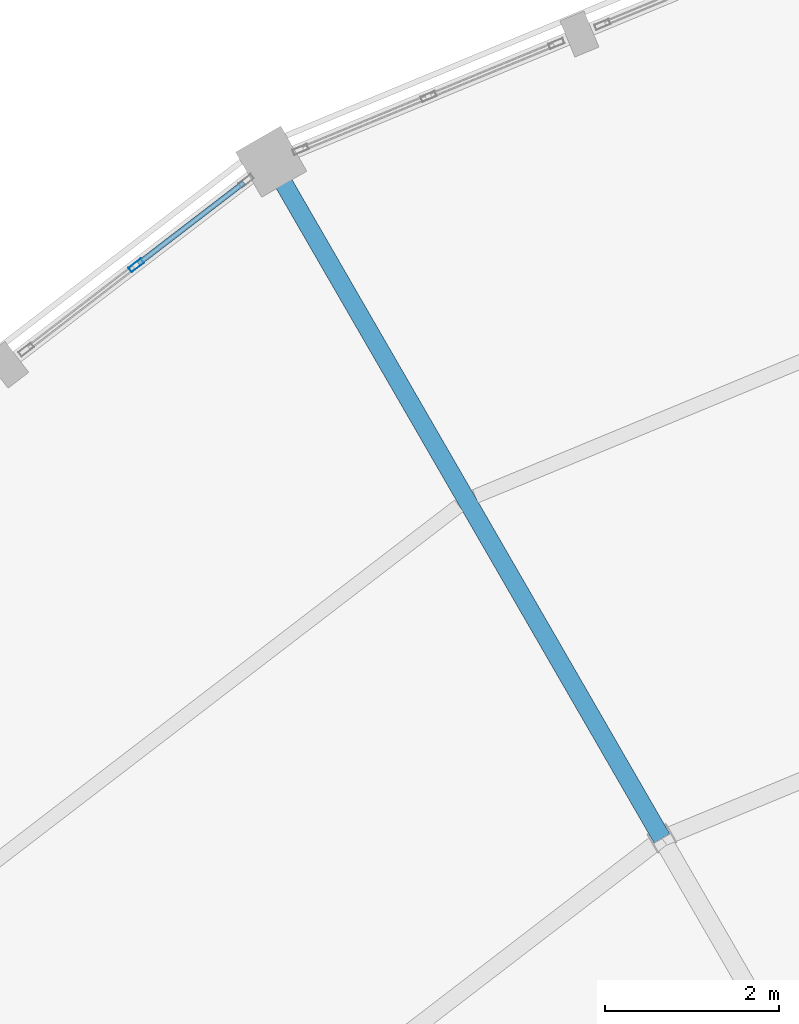
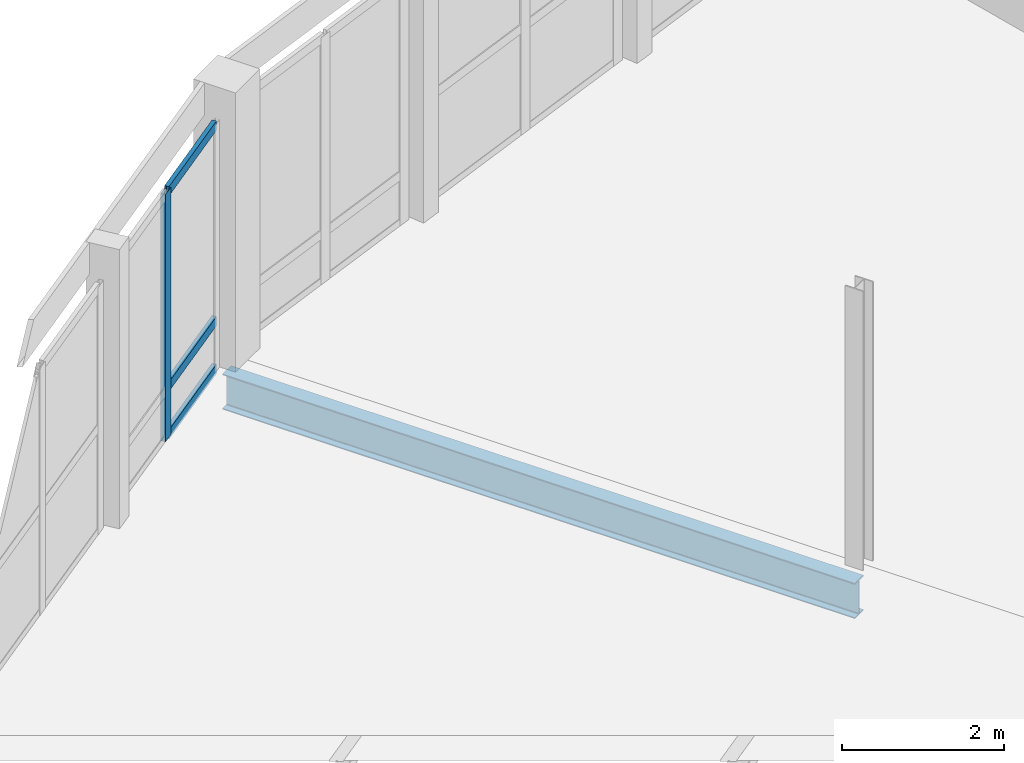
# One storey, part 93 of 200: 4 members, 1 beam, 1 element without a shape of its own.
"""IFC4 building model written with IfcOpenShell, lengths in metres."""

from ifc_helpers import new_model, si_unit, direction, frame, origin, origin_2d, place, context, subcontext, project, spatial, hollow_rectangle, i_section, extrude, material, material_profile, profile_set, type_object, element, aggregate, save


model = new_model("IFC4")

# Units and contexts
model_context = context("Model", 3, precision=1e-05, world=origin(), true_north=direction((0.0, 1.0)))
body_context = subcontext(model_context, "Body", "Model", "MODEL_VIEW")
ifc_project = project(units=[si_unit("LENGTHUNIT", "METRE"), si_unit("AREAUNIT", "SQUARE_METRE"), si_unit("VOLUMEUNIT", "CUBIC_METRE"), si_unit("PLANEANGLEUNIT", "RADIAN"), si_unit("MASSUNIT", "GRAM", prefix="KILO")], contexts=[model_context])

# Site, building, storey
site_placement = place(None, origin())
site = spatial("IfcSite", under=ifc_project, at=site_placement, CompositionType="ELEMENT")
building_placement = place(site_placement, origin())
building = spatial("IfcBuilding", under=site, at=building_placement, Name="Vondelvale Polytechnic", CompositionType="ELEMENT")
storey_placement = place(building_placement, frame((0.0, 0.0, 13.800048828125)))
storey = spatial("IfcBuildingStorey", under=building, at=storey_placement, Name="L03", CompositionType="ELEMENT", Elevation=13.800048828125)

# Beam
ifc_material_1 = material(Name="Steel 300PLUS (fy = 300 MPa)", Category="steel")
ifc_material_profile_1 = material_profile(ifc_material_1, i_section(OverallWidth=0.208984375, OverallDepth=0.532958984375, WebThickness=0.01025390625, FlangeThickness=0.015625, FilletRadius=0.013916015625, at=origin_2d()), Name="530UB92.4")
ifc_profile_set_1 = profile_set([ifc_material_profile_1], Name="Steel 300PLUS (fy = 300 MPa)")
beam_type = type_object("IfcBeamType", Name="BM-UB530", PredefinedType="BEAM", material=ifc_profile_set_1)
beam_placement = place(storey_placement, frame((83.5, 104.04296875, -0.5166015625), z_axis=(-0.5000018851, 0.866024315419, 0.0), x_axis=(-0.866024315419, -0.5000018851, 0.0)))
element("IfcBeam", 1, at=beam_placement, inside=storey, type_object=beam_type, Name="L03 RG B-11", PredefinedType="BEAM", context=body_context, shape_type="SweptSolid", body=[
    extrude(i_section(OverallWidth=0.208984375, OverallDepth=0.532958984375, WebThickness=0.01025390625, FlangeThickness=0.015625, FilletRadius=0.013916015625, at=origin_2d()), origin(), (0.0, 0.0, 1.0), 9.0),
])

# Curtain wall, members
ifc_material_2 = material(Name="Glulam GL18 structural Tasmanian oak (fb = 42 MPa)", Category="wood")
curtain_wall_type = type_object("IfcCurtainWallType", Name="CW-RING-OUTER", PredefinedType="NOTDEFINED", material=ifc_material_2)
curtain_wall_placement = place(storey_placement, origin())
curtain_wall = element("IfcCurtainWall", 2, at=curtain_wall_placement, inside=storey, type_object=curtain_wall_type, Name="L03 architectural curtain wall CW-04-203", PredefinedType="NOTDEFINED")
ifc_material_3 = material(Name="Anodised extruded aluminium 6063-T6", Category="aluminium")
ifc_material_profile_2 = material_profile(ifc_material_3, hollow_rectangle(XDim=0.06494140625, YDim=0.179931640625, WallThickness=0.00390625, at=origin_2d()), Name="CW-MUL-180x65")
ifc_profile_set_2 = profile_set([ifc_material_profile_2], Name="Anodised extruded aluminium 6063-T6")
member_type_1 = type_object("IfcMemberType", Name="CW-MUL-65x180", PredefinedType="MULLION", material=ifc_profile_set_2)
member_1_placement = place(storey_placement, frame((77.44482421875, 110.643798828125, 0.0), z_axis=(0.0, 0.0, 1.0), x_axis=(0.608786860133, -0.793333825656, 0.0)))
member_1 = element("IfcMember", 3, at=member_1_placement, type_object=member_type_1, Name="CW-04-203 mullion 2", PredefinedType="MULLION", context=body_context, shape_type="SweptSolid", body=[
    extrude(hollow_rectangle(XDim=0.06494140625, YDim=0.179931640625, WallThickness=0.00390625, at=origin_2d()), origin(), (0.0, 0.0, 1.0), 3.719970703125),
])
ifc_material_profile_3 = material_profile(ifc_material_3, hollow_rectangle(XDim=0.06005859375, YDim=0.139892578125, WallThickness=0.00341796875, at=origin_2d()), Name="CW-TRN-140x60")
ifc_profile_set_3 = profile_set([ifc_material_profile_3], Name="Anodised extruded aluminium 6063-T6")
member_type_2 = type_object("IfcMemberType", Name="CW-TRN-60x140", PredefinedType="USERDEFINED", material=ifc_profile_set_3)
member_2_placement = place(storey_placement, frame((78.684326171875, 111.59521484375, 0.030029296875), z_axis=(-0.7932286645, -0.608923875222, 0.0), x_axis=(0.608923875222, -0.7932286645, 0.0)))
member_2 = element("IfcMember", 4, at=member_2_placement, type_object=member_type_2, Name="CW-04-203 transom 1.1", ObjectType="TRANSOM", PredefinedType="USERDEFINED", context=body_context, shape_type="SweptSolid", body=[
    extrude(hollow_rectangle(XDim=0.06005859375, YDim=0.139892578125, WallThickness=0.00341796875, at=origin_2d()), origin(), (0.0, 0.0, 1.0), 1.530029296875),
])
member_3_placement = place(storey_placement, frame((78.684326171875, 111.59521484375, 0.75), z_axis=(-0.7932286645, -0.608923875222, 0.0), x_axis=(0.608923875222, -0.7932286645, 0.0)))
member_3 = element("IfcMember", 5, at=member_3_placement, type_object=member_type_2, Name="CW-04-203 transom 1.2", ObjectType="TRANSOM", PredefinedType="USERDEFINED", context=body_context, shape_type="SweptSolid", body=[
    extrude(hollow_rectangle(XDim=0.06005859375, YDim=0.139892578125, WallThickness=0.00341796875, at=origin_2d()), origin(), (0.0, 0.0, 1.0), 1.530029296875),
])
member_4_placement = place(storey_placement, frame((78.684326171875, 111.59521484375, 3.68994140625), z_axis=(-0.7932286645, -0.608923875222, 0.0), x_axis=(0.608923875222, -0.7932286645, 0.0)))
member_4 = element("IfcMember", 6, at=member_4_placement, type_object=member_type_2, Name="CW-04-203 transom 1.3", ObjectType="TRANSOM", PredefinedType="USERDEFINED", context=body_context, shape_type="SweptSolid", body=[
    extrude(hollow_rectangle(XDim=0.06005859375, YDim=0.139892578125, WallThickness=0.00341796875, at=origin_2d()), origin(), (0.0, 0.0, 1.0), 1.530029296875),
])
aggregate(curtain_wall, [member_1, member_2, member_3, member_4])

save(model, "model.ifc")
